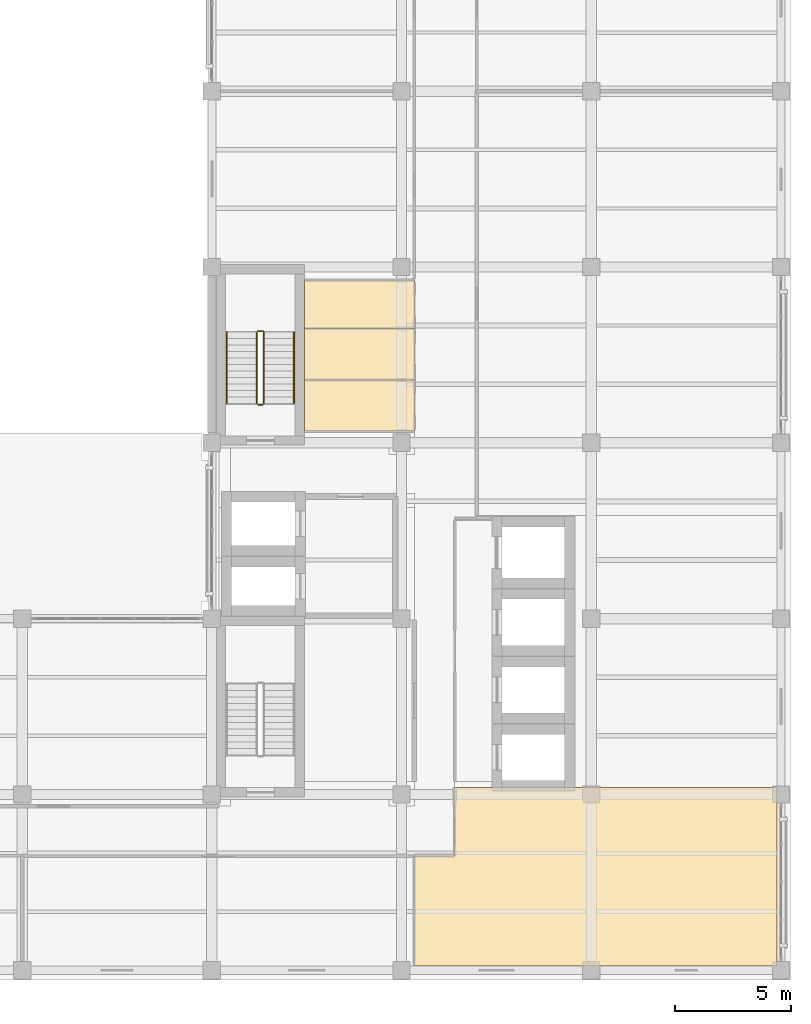
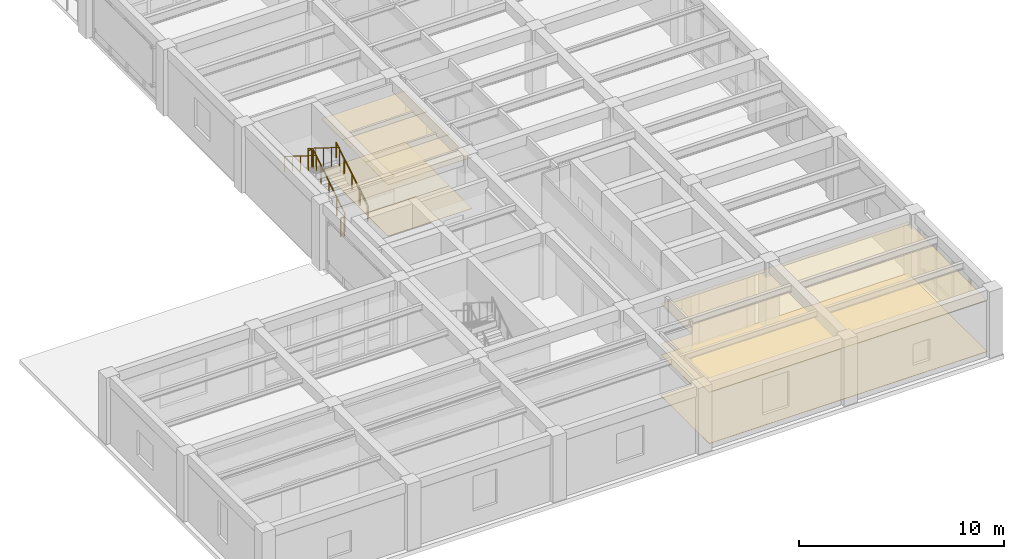
# One storey, part 11 of 12: 8 coverings, 6 railings.
"""IFC4 building model written with IfcOpenShell, lengths in metres."""

import ifcopenshell
import ifcopenshell.guid

model = None  # the IFC model being written
_history = None  # IfcOwnerHistory: only IFC2X3 demands one
_inside = {}  # id of a spatial element -> (the spatial element, [elements in it])
_under = {}  # id of a project, library or spatial element -> (it, [spatial elements below it])
_declared = {}  # id of a project -> (the project, [libraries it declares])
_typed = {}  # id of a type object -> (the type object, [elements of that type])
_made_of = {}  # id of a material, layer set ... -> (it, [elements and type objects made of it])


def new_model(schema):
    """Start an empty IFC model of exactly this schema.

    Asked for "IFC4X3", IfcOpenShell would pick the latest addendum, in which some entities
    have other attributes; the version numbers below select the first issue.
    IFC2X3 requires an IfcOwnerHistory on every rooted entity: one is made here for all.
    """
    global model, _history
    if schema == "IFC4X3":
        model = ifcopenshell.file(schema_version=(4, 3, 0, 0))
    else:
        model = ifcopenshell.file(schema=schema)
    _inside.clear()
    _under.clear()
    _declared.clear()
    _typed.clear()
    _made_of.clear()
    _history = None
    if model.schema == "IFC2X3":
        org = make("IfcOrganization", Name="unknown")
        user = make(
            "IfcPersonAndOrganization",
            ThePerson=make("IfcPerson", FamilyName="unknown"),
            TheOrganization=org,
        )
        app = make(
            "IfcApplication",
            ApplicationDeveloper=org,
            Version="unknown",
            ApplicationFullName="unknown",
            ApplicationIdentifier="unknown",
        )
        _history = make(
            "IfcOwnerHistory",
            OwningUser=user,
            OwningApplication=app,
            ChangeAction="ADDED",
            CreationDate=0,
        )
    return model


def make(cls, **values):
    """One entity of the class cls with the attributes given. An attribute that is None is left unset."""
    return model.create_entity(
        cls, **{name: value for name, value in values.items() if value is not None}
    )


def rooted(cls, **values):
    """An entity with a GlobalId (a new one), such as an element, a storey or a relation."""
    return make(cls, GlobalId=ifcopenshell.guid.new(), OwnerHistory=_history, **values)


def si_unit(unit_type, name, prefix=None):
    """IfcSIUnit, for example si_unit("LENGTHUNIT", "METRE", prefix="MILLI")."""
    return make("IfcSIUnit", UnitType=unit_type, Prefix=prefix, Name=name)


def assignment(units):
    """IfcUnitAssignment: the units of a project."""
    return None if units is None else make("IfcUnitAssignment", Units=units)


def point(xyz):
    """IfcCartesianPoint."""
    return None if xyz is None else make("IfcCartesianPoint", Coordinates=xyz)


def direction(xyz):
    """IfcDirection."""
    return None if xyz is None else make("IfcDirection", DirectionRatios=xyz)


def frame(location, z_axis=None, x_axis=None):
    """IfcAxis2Placement3D, a coordinate frame: its origin and axes. An axis left out is left unset."""
    return make(
        "IfcAxis2Placement3D",
        Location=point(location),
        Axis=direction(z_axis),
        RefDirection=direction(x_axis),
    )


def frame_2d(location, x_axis=None):
    """IfcAxis2Placement2D, a coordinate frame in the plane: its origin and x axis."""
    return make(
        "IfcAxis2Placement2D", Location=point(location), RefDirection=direction(x_axis)
    )


def origin():
    """The frame at (0, 0, 0) with its axes left unset."""
    return frame((0.0, 0.0, 0.0))


def origin_2d():
    """The frame at (0, 0) in the plane with its x axis left unset."""
    return frame_2d((0.0, 0.0))


def place(relative_to, where):
    """IfcLocalPlacement: puts the frame where relative to a parent placement (None: the world)."""
    return make(
        "IfcLocalPlacement", PlacementRelTo=relative_to, RelativePlacement=where
    )


def context(
    kind, dimensions, precision=None, world=None, true_north=None, identifier=None
):
    """IfcGeometricRepresentationContext, for example the 3D "Model" context."""
    return make(
        "IfcGeometricRepresentationContext",
        ContextIdentifier=identifier,
        ContextType=kind,
        CoordinateSpaceDimension=dimensions,
        Precision=precision,
        WorldCoordinateSystem=world,
        TrueNorth=true_north,
    )


def subcontext(parent, identifier, kind, view, scale=None):
    """IfcGeometricRepresentationSubContext, for example "Body" below "Model"."""
    return make(
        "IfcGeometricRepresentationSubContext",
        ContextIdentifier=identifier,
        ContextType=kind,
        ParentContext=parent,
        TargetScale=scale,
        TargetView=view,
    )


def project(units=None, contexts=None):
    """IfcProject with its units and contexts."""
    return rooted(
        "IfcProject",
        Name="project",
        RepresentationContexts=contexts,
        UnitsInContext=assignment(units),
    )


def spatial(cls, under=None, at=None, **own):
    """A site, building, storey or space (cls), placed at a placement, below another one or the project."""
    s = rooted(cls, ObjectPlacement=at, **own)
    if under is not None:
        _under.setdefault(under.id(), (under, []))[1].append(s)
    return s


def polyline(points):
    """IfcPolyline through the points."""
    return make("IfcPolyline", Points=[point(p) for p in points])


def profile(cls, at=None, kind="AREA", **sizes):
    """A parametric profile (cls). Its sizes go by their IFC names, for example OverallWidth=200.0."""
    return make(cls, ProfileType=kind, Position=at, **sizes)


def circle(**sizes):
    """IfcCircleProfileDef."""
    return profile("IfcCircleProfileDef", **sizes)


def outline(outer, holes=None, kind="AREA"):
    """IfcArbitraryClosedProfileDef: a profile drawn as a closed curve; with holes, ...WithVoids."""
    if holes is None:
        return make("IfcArbitraryClosedProfileDef", ProfileType=kind, OuterCurve=outer)
    return make(
        "IfcArbitraryProfileDefWithVoids",
        ProfileType=kind,
        OuterCurve=outer,
        InnerCurves=holes,
    )


def extrude(swept, where, along, depth):
    """IfcExtrudedAreaSolid: the profile swept, set in the frame where, extruded along a direction by depth."""
    return make(
        "IfcExtrudedAreaSolid",
        SweptArea=swept,
        Position=where,
        ExtrudedDirection=direction(along),
        Depth=depth,
    )


def shape(context_of_items, identifier, shape_type, items):
    """IfcShapeRepresentation: the items that make up one representation, for example the "Body"."""
    return make(
        "IfcShapeRepresentation",
        ContextOfItems=context_of_items,
        RepresentationIdentifier=identifier,
        RepresentationType=shape_type,
        Items=items,
    )


def material(Name=None, Category=None):
    """IfcMaterial."""
    return make("IfcMaterial", Name=Name, Category=Category)


def layer(
    of_material, thickness, ventilated=None, Name=None, Category=None, Priority=None
):
    """IfcMaterialLayer: one layer of a wall or slab, of a material (None: an air gap)."""
    return make(
        "IfcMaterialLayer",
        Material=of_material,
        LayerThickness=thickness,
        IsVentilated=ventilated,
        Name=Name,
        Category=Category,
        Priority=Priority,
    )


def layer_set(layers, Name=None):
    """IfcMaterialLayerSet."""
    return make("IfcMaterialLayerSet", MaterialLayers=layers, LayerSetName=Name)


def made_of(thing, what):
    """Note that an element or type object is made of a material, layer set ...; save() writes the relation."""
    if what is not None:
        _made_of.setdefault(what.id(), (what, []))[1].append(thing)
    return thing


def type_object(cls, material=None, **own):
    """A type object (cls), such as IfcWallType, which elements share."""
    return made_of(rooted(cls, **own), material)


def element(
    cls,
    number,
    at=None,
    inside=None,
    cuts=None,
    type_object=None,
    material=None,
    context=None,
    identifier="Body",
    shape_type=None,
    held_by="IfcProductDefinitionShape",
    body=None,
    shapes=None,
    **own,
):
    """One element of the class cls, such as IfcWall. Its Tag is "e" and its number.

    at: its placement. inside: the storey or other place that contains it. cuts: it is an
    opening in that element (IfcRelVoidsElement). A single representation is given by context,
    identifier, shape_type and body (its items); several are given by shapes. held_by: the class
    of the entity that holds the representations. save() writes the other relations.
    """
    e = rooted(cls, Tag="e%d" % number, ObjectPlacement=at, **own)
    if body is not None:
        shapes = [shape(context, identifier, shape_type, body)]
    if shapes is not None:
        e.Representation = make(held_by, Representations=shapes)
    if inside is not None:
        _inside.setdefault(inside.id(), (inside, []))[1].append(e)
    if cuts is not None:
        rooted(
            "IfcRelVoidsElement", RelatingBuildingElement=cuts, RelatedOpeningElement=e
        )
    if type_object is not None:
        _typed.setdefault(type_object.id(), (type_object, []))[1].append(e)
    return made_of(e, material)


def aggregate(whole, parts):
    """IfcRelAggregates: a whole, such as a stair, and the parts it consists of."""
    return rooted("IfcRelAggregates", RelatingObject=whole, RelatedObjects=parts)


def save(model, path):
    """Write the relations noted so far, then the file.

    IfcRelAggregates (storeys below a building ...), IfcRelContainedInSpatialStructure (elements
    in a storey), IfcRelDefinesByType, IfcRelAssociatesMaterial and IfcRelDeclares: one each for
    every whole, place, type object, material and project.
    """
    for whole, parts in _under.values():
        aggregate(whole, parts)
    for where, things in _inside.values():
        rooted(
            "IfcRelContainedInSpatialStructure",
            RelatedElements=things,
            RelatingStructure=where,
        )
    for kind, things in _typed.values():
        rooted("IfcRelDefinesByType", RelatedObjects=things, RelatingType=kind)
    for what, things in _made_of.values():
        rooted("IfcRelAssociatesMaterial", RelatedObjects=things, RelatingMaterial=what)
    for by, libraries in _declared.values():
        rooted("IfcRelDeclares", RelatingContext=by, RelatedDefinitions=libraries)
    model.write(path)


model = new_model("IFC4")

# Units and contexts
model_context = context("Model", 3, precision=1e-05, world=origin(), true_north=direction((0.0, 1.0)))
body_context = subcontext(model_context, "Body", "Model", "MODEL_VIEW")
ifc_project = project(units=[si_unit("LENGTHUNIT", "METRE"), si_unit("AREAUNIT", "SQUARE_METRE"), si_unit("VOLUMEUNIT", "CUBIC_METRE"), si_unit("PLANEANGLEUNIT", "RADIAN"), si_unit("MASSUNIT", "GRAM", prefix="KILO")], contexts=[model_context])

# Site, building, storey
site_placement = place(None, origin())
site = spatial("IfcSite", under=ifc_project, at=site_placement, CompositionType="ELEMENT")
building_placement = place(site_placement, origin())
building = spatial("IfcBuilding", under=site, at=building_placement, Name="Qandaris Square Conservatory and Botanical Centre", CompositionType="ELEMENT")
storey_placement = place(building_placement, frame((0.0, 0.0, 53.39990234375)))
storey = spatial("IfcBuildingStorey", under=building, at=storey_placement, Name="L12", CompositionType="ELEMENT", Elevation=53.39990234375)

# Coverings
ifc_material_1 = material(Name="Gypsum Plasterboard", Category="gypsum")
ifc_layer_1 = layer(ifc_material_1, 0.02490234375)
ifc_layer_set_1 = layer_set([ifc_layer_1], Name="Gypsum Plasterboard")
covering_type_1 = type_object("IfcCoveringType", Name="Perforated Acoustic Lab Ceiling Tile", PredefinedType="CEILING", material=ifc_layer_set_1)
covering_1_placement = place(storey_placement, frame((0.0, 0.0, 3.050048828125)))
element("IfcCovering", 1, at=covering_1_placement, inside=storey, type_object=covering_type_1, Name="Accessible Toilet L12 Ceiling", PredefinedType="CEILING", context=body_context, shape_type="SweptSolid", body=[
    extrude(outline(polyline([(147.949951171875, 42.1201171875), (147.949951171875, 39.89990234375), (143.199951171875, 39.89990234375), (143.199951171875, 42.1201171875), (147.949951171875, 42.1201171875)])), origin(), (0.0, 0.0, 1.0), 0.025146484375),
])
covering_2_placement = place(storey_placement, frame((0.0, 0.0, 3.050048828125)))
element("IfcCovering", 2, at=covering_2_placement, inside=storey, type_object=covering_type_1, Name="Staff Male Toilet L12 Ceiling", PredefinedType="CEILING", context=body_context, shape_type="SweptSolid", body=[
    extrude(outline(polyline([(147.949951171875, 44.340087890625), (147.949951171875, 42.1201171875), (143.199951171875, 42.1201171875), (143.199951171875, 44.340087890625), (147.949951171875, 44.340087890625)])), origin(), (0.0, 0.0, 1.0), 0.025146484375),
])
covering_3_placement = place(storey_placement, frame((0.0, 0.0, 3.050048828125)))
element("IfcCovering", 3, at=covering_3_placement, inside=storey, type_object=covering_type_1, Name="Staff Female Toilet L12 Ceiling", PredefinedType="CEILING", context=body_context, shape_type="SweptSolid", body=[
    extrude(outline(polyline([(147.949951171875, 46.419921875), (147.949951171875, 44.340087890625), (143.199951171875, 44.340087890625), (143.199951171875, 46.419921875), (147.949951171875, 46.419921875)])), origin(), (0.0, 0.0, 1.0), 0.025146484375),
])
covering_4_placement = place(storey_placement, frame((0.0, 0.0, 3.050048828125)))
element("IfcCovering", 4, at=covering_4_placement, inside=storey, type_object=covering_type_1, Name="Floor L12 Instrument and Balance Room Ceiling", PredefinedType="CEILING", context=body_context, shape_type="SweptSolid", body=[
    extrude(outline(polyline([(147.949951171875, 21.550048828125), (149.699951171875, 21.550048828125), (149.699951171875, 23.699951171875), (149.699951171875, 24.5), (163.6201171875, 24.5), (163.6201171875, 16.780029296875), (147.949951171875, 16.780029296875), (147.949951171875, 21.550048828125)])), origin(), (0.0, 0.0, 1.0), 0.025146484375),
])
ifc_material_2 = material(Name="Epoxy Resin Screed", Category="finish")
ifc_layer_2 = layer(ifc_material_2, 0.014892578125)
ifc_layer_set_2 = layer_set([ifc_layer_2], Name="Epoxy Resin Screed")
covering_type_2 = type_object("IfcCoveringType", Name="Seamless Epoxy Laboratory Flooring", PredefinedType="FLOORING", material=ifc_layer_set_2)
covering_5_placement = place(storey_placement, origin())
element("IfcCovering", 5, at=covering_5_placement, inside=storey, type_object=covering_type_2, Name="Accessible Toilet L12 Flooring", PredefinedType="FLOORING", context=body_context, shape_type="SweptSolid", body=[
    extrude(outline(polyline([(147.949951171875, 42.1201171875), (147.949951171875, 39.89990234375), (143.199951171875, 39.89990234375), (143.199951171875, 42.1201171875), (147.949951171875, 42.1201171875)])), origin(), (0.0, 0.0, 1.0), 0.01513671875),
])
covering_6_placement = place(storey_placement, origin())
element("IfcCovering", 6, at=covering_6_placement, inside=storey, type_object=covering_type_2, Name="Staff Male Toilet L12 Flooring", PredefinedType="FLOORING", context=body_context, shape_type="SweptSolid", body=[
    extrude(outline(polyline([(147.949951171875, 44.340087890625), (147.949951171875, 42.1201171875), (143.199951171875, 42.1201171875), (143.199951171875, 44.340087890625), (147.949951171875, 44.340087890625)])), origin(), (0.0, 0.0, 1.0), 0.01513671875),
])
covering_7_placement = place(storey_placement, origin())
element("IfcCovering", 7, at=covering_7_placement, inside=storey, type_object=covering_type_2, Name="Staff Female Toilet L12 Flooring", PredefinedType="FLOORING", context=body_context, shape_type="SweptSolid", body=[
    extrude(outline(polyline([(147.949951171875, 46.419921875), (147.949951171875, 44.340087890625), (143.199951171875, 44.340087890625), (143.199951171875, 46.419921875), (147.949951171875, 46.419921875)])), origin(), (0.0, 0.0, 1.0), 0.01513671875),
])
covering_8_placement = place(storey_placement, origin())
element("IfcCovering", 8, at=covering_8_placement, inside=storey, type_object=covering_type_2, Name="Floor L12 Instrument and Balance Room Flooring", PredefinedType="FLOORING", context=body_context, shape_type="SweptSolid", body=[
    extrude(outline(polyline([(147.949951171875, 21.550048828125), (149.699951171875, 21.550048828125), (149.699951171875, 23.699951171875), (149.699951171875, 24.5), (163.6201171875, 24.5), (163.6201171875, 16.780029296875), (147.949951171875, 16.780029296875), (147.949951171875, 21.550048828125)])), origin(), (0.0, 0.0, 1.0), 0.01513671875),
])

# Railings
ifc_material_3 = material(Name="Stainless Steel", Category="steel")
railing_type_1 = type_object("IfcRailingType", Name="Stair Tubular Handrail 920mm", PredefinedType="HANDRAIL", material=ifc_material_3)
railing_1_placement = place(storey_placement, frame((142.75, 41.10009765625, 0.35009765625)))
element("IfcRailing", 9, at=railing_1_placement, inside=storey, type_object=railing_type_1, Name="L12 ST-2 stair handrail 1", PredefinedType="HANDRAIL", context=body_context, shape_type="SweptSolid", body=[
    extrude(circle(Radius=0.02392578125, at=origin_2d()), frame((0.0, 0.0, 0.89599609375), z_axis=(0.0, 0.847979421464, 0.530029150871), x_axis=(-1.0, 0.0, 0.0)), (0.0, 0.0, 1.0), 3.632080078125),
    extrude(circle(Radius=0.02099609375, at=origin_2d()), origin(), (0.0, 0.0, 1.0), 0.871826171875),
    extrude(circle(Radius=0.02099609375, at=origin_2d()), frame((0.0, 0.77001953125, 0.481201171875)), (0.0, 0.0, 1.0), 0.871826171875),
    extrude(circle(Radius=0.02099609375, at=origin_2d()), frame((0.0, 1.5400390625, 0.96240234375)), (0.0, 0.0, 1.0), 0.871826171875),
    extrude(circle(Radius=0.02099609375, at=origin_2d()), frame((0.0, 2.309814453125, 1.44384765625)), (0.0, 0.0, 1.0), 0.871826171875),
    extrude(circle(Radius=0.02099609375, at=origin_2d()), frame((0.0, 3.079833984375, 1.925048828125)), (0.0, 0.0, 1.0), 0.871826171875),
])
railing_2_placement = place(storey_placement, frame((139.85009765625, 44.179931640625, 2.4501953125)))
element("IfcRailing", 10, at=railing_2_placement, inside=storey, type_object=railing_type_1, Name="L12 ST-2 stair handrail 2", PredefinedType="HANDRAIL", context=body_context, shape_type="SweptSolid", body=[
    extrude(circle(Radius=0.02392578125, at=origin_2d()), frame((0.0, 0.0, 0.89599609375), z_axis=(0.0, -0.848009633417, 0.529980812513), x_axis=(1.0, 0.0, 0.0)), (0.0, 0.0, 1.0), 3.6318359375),
    extrude(circle(Radius=0.02099609375, at=origin_2d()), origin(), (0.0, 0.0, 1.0), 0.871826171875),
    extrude(circle(Radius=0.02099609375, at=origin_2d()), frame((0.0, -0.77001953125, 0.481201171875)), (0.0, 0.0, 1.0), 0.871826171875),
    extrude(circle(Radius=0.02099609375, at=origin_2d()), frame((0.0, -1.5400390625, 0.96240234375)), (0.0, 0.0, 1.0), 0.871826171875),
    extrude(circle(Radius=0.02099609375, at=origin_2d()), frame((0.0, -2.309814453125, 1.443603515625)), (0.0, 0.0, 1.0), 0.871826171875),
    extrude(circle(Radius=0.02099609375, at=origin_2d()), frame((0.0, -3.079833984375, 1.9248046875)), (0.0, 0.0, 1.0), 0.871826171875),
])
railing_type_2 = type_object("IfcRailingType", Name="Stairwell & Atrium Guardrail 1120mm", PredefinedType="GUARDRAIL", material=ifc_material_3)
railing_3_placement = place(storey_placement, frame((141.449951171875, 41.10009765625, 0.175048828125)))
element("IfcRailing", 11, at=railing_3_placement, inside=storey, type_object=railing_type_2, Name="L12 ST-2 stair guard 1", PredefinedType="GUARDRAIL", context=body_context, shape_type="SweptSolid", body=[
    extrude(circle(Radius=0.02392578125, at=origin_2d()), frame((0.0, 0.0, 1.09619140625), z_axis=(0.0, 0.847979421464, 0.530029150871), x_axis=(-1.0, 0.0, 0.0)), (0.0, 0.0, 1.0), 3.632080078125),
    extrude(circle(Radius=0.02099609375, at=origin_2d()), origin(), (0.0, 0.0, 1.0), 1.072021484375),
    extrude(circle(Radius=0.02099609375, at=origin_2d()), frame((0.0, 0.77001953125, 0.481201171875)), (0.0, 0.0, 1.0), 1.072021484375),
    extrude(circle(Radius=0.02099609375, at=origin_2d()), frame((0.0, 1.5400390625, 0.96240234375)), (0.0, 0.0, 1.0), 1.072021484375),
    extrude(circle(Radius=0.02099609375, at=origin_2d()), frame((0.0, 2.309814453125, 1.44384765625)), (0.0, 0.0, 1.0), 1.072021484375),
    extrude(circle(Radius=0.02099609375, at=origin_2d()), frame((0.0, 3.079833984375, 1.925048828125)), (0.0, 0.0, 1.0), 1.072021484375),
])
railing_4_placement = place(storey_placement, frame((141.39990234375, 44.22998046875, 2.10009765625)))
element("IfcRailing", 12, at=railing_4_placement, inside=storey, type_object=railing_type_2, Name="L12 ST-2 stair guard 2", PredefinedType="GUARDRAIL", context=body_context, shape_type="SweptSolid", body=[
    extrude(circle(Radius=0.02392578125, at=origin_2d()), frame((0.0, 0.0, 1.09619140625), z_axis=(-1.0, 0.0, 0.0), x_axis=(0.0, -1.0, 0.0)), (0.0, 0.0, 1.0), 0.199951171875),
    extrude(circle(Radius=0.02099609375, at=origin_2d()), origin(), (0.0, 0.0, 1.0), 1.072021484375),
    extrude(circle(Radius=0.02099609375, at=origin_2d()), frame((-0.199951171875, 0.0, 0.0)), (0.0, 0.0, 1.0), 1.072021484375),
])
railing_5_placement = place(storey_placement, frame((141.14990234375, 44.179931640625, 2.275146484375)))
element("IfcRailing", 13, at=railing_5_placement, inside=storey, type_object=railing_type_2, Name="L12 ST-2 stair guard 3", PredefinedType="GUARDRAIL", context=body_context, shape_type="SweptSolid", body=[
    extrude(circle(Radius=0.02392578125, at=origin_2d()), frame((0.0, 0.0, 1.09619140625), z_axis=(0.0, -0.847979421464, 0.530029150871), x_axis=(1.0, 0.0, 0.0)), (0.0, 0.0, 1.0), 3.632080078125),
    extrude(circle(Radius=0.02099609375, at=origin_2d()), origin(), (0.0, 0.0, 1.0), 1.072021484375),
    extrude(circle(Radius=0.02099609375, at=origin_2d()), frame((0.0, -0.77001953125, 0.481201171875)), (0.0, 0.0, 1.0), 1.072021484375),
    extrude(circle(Radius=0.02099609375, at=origin_2d()), frame((0.0, -1.5400390625, 0.96240234375)), (0.0, 0.0, 1.0), 1.072021484375),
    extrude(circle(Radius=0.02099609375, at=origin_2d()), frame((0.0, -2.309814453125, 1.44384765625)), (0.0, 0.0, 1.0), 1.072021484375),
    extrude(circle(Radius=0.02099609375, at=origin_2d()), frame((0.0, -3.079833984375, 1.925048828125)), (0.0, 0.0, 1.0), 1.072021484375),
])
railing_6_placement = place(storey_placement, frame((141.39990234375, 41.050048828125, 0.0)))
element("IfcRailing", 14, at=railing_6_placement, inside=storey, type_object=railing_type_2, Name="L12 ST-2 stair guard 4", PredefinedType="GUARDRAIL", context=body_context, shape_type="SweptSolid", body=[
    extrude(circle(Radius=0.02392578125, at=origin_2d()), frame((0.0, 0.0, 1.09619140625), z_axis=(-1.0, 0.0, 0.0), x_axis=(0.0, -1.0, 0.0)), (0.0, 0.0, 1.0), 0.199951171875),
    extrude(circle(Radius=0.02099609375, at=origin_2d()), origin(), (0.0, 0.0, 1.0), 1.072021484375),
    extrude(circle(Radius=0.02099609375, at=origin_2d()), frame((-0.199951171875, 0.0, 0.0)), (0.0, 0.0, 1.0), 1.072021484375),
])

save(model, "model.ifc")
